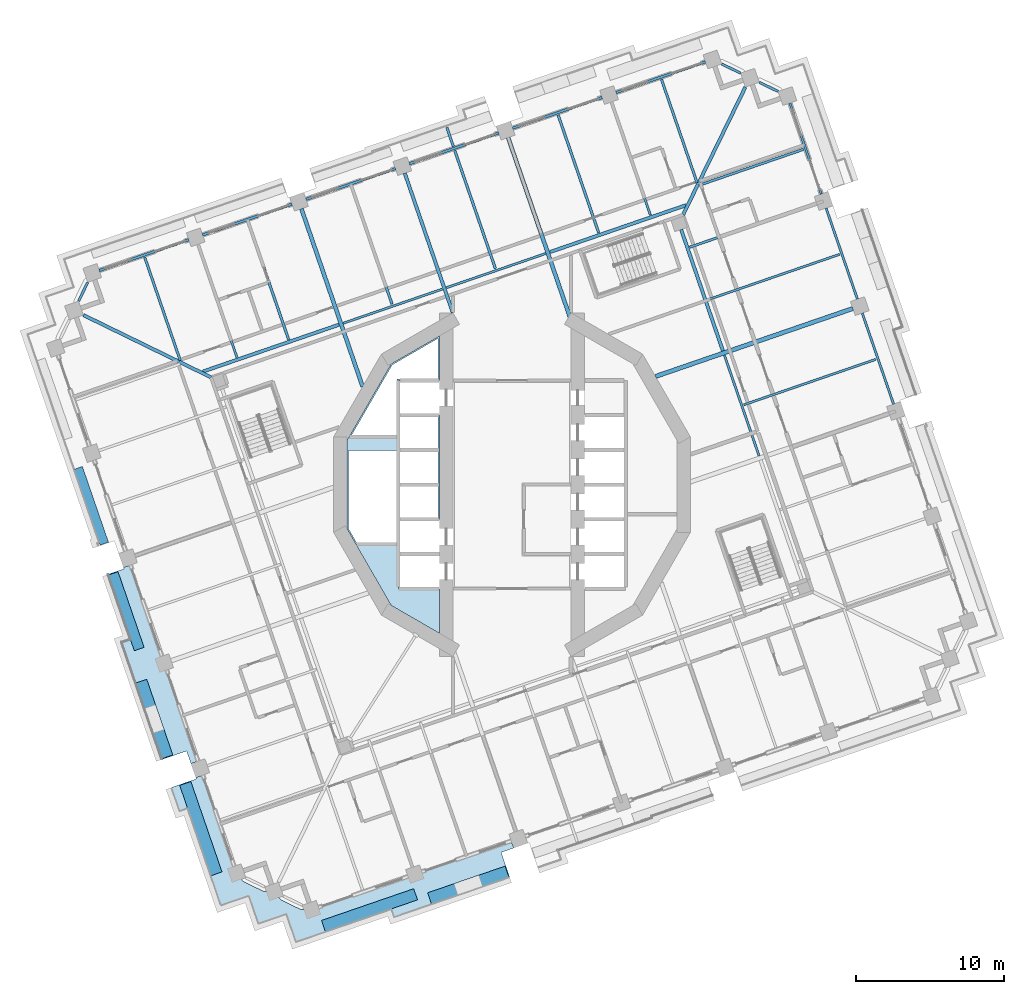
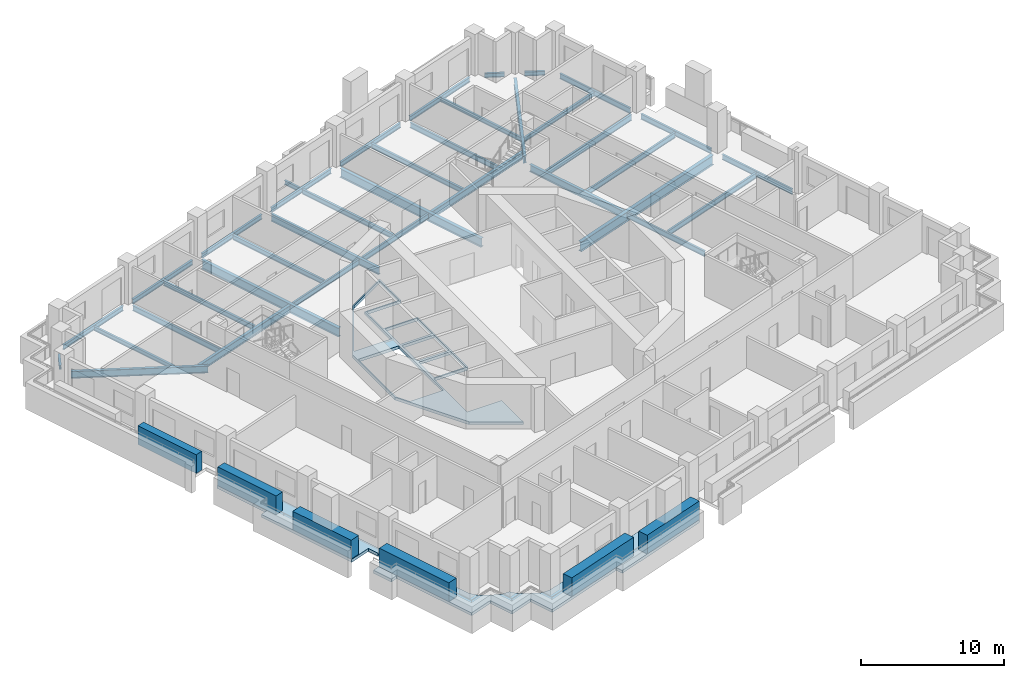
# One storey, part 2 of 19: 37 beams, 6 plates, 3 slabs.
"""IFC4 building model written with IfcOpenShell, lengths in metres."""

import ifcopenshell
import ifcopenshell.guid

model = None  # the IFC model being written
_history = None  # IfcOwnerHistory: only IFC2X3 demands one
_inside = {}  # id of a spatial element -> (the spatial element, [elements in it])
_under = {}  # id of a project, library or spatial element -> (it, [spatial elements below it])
_declared = {}  # id of a project -> (the project, [libraries it declares])
_typed = {}  # id of a type object -> (the type object, [elements of that type])
_made_of = {}  # id of a material, layer set ... -> (it, [elements and type objects made of it])


def new_model(schema):
    """Start an empty IFC model of exactly this schema.

    Asked for "IFC4X3", IfcOpenShell would pick the latest addendum, in which some entities
    have other attributes; the version numbers below select the first issue.
    IFC2X3 requires an IfcOwnerHistory on every rooted entity: one is made here for all.
    """
    global model, _history
    if schema == "IFC4X3":
        model = ifcopenshell.file(schema_version=(4, 3, 0, 0))
    else:
        model = ifcopenshell.file(schema=schema)
    _inside.clear()
    _under.clear()
    _declared.clear()
    _typed.clear()
    _made_of.clear()
    _history = None
    if model.schema == "IFC2X3":
        org = make("IfcOrganization", Name="unknown")
        user = make(
            "IfcPersonAndOrganization",
            ThePerson=make("IfcPerson", FamilyName="unknown"),
            TheOrganization=org,
        )
        app = make(
            "IfcApplication",
            ApplicationDeveloper=org,
            Version="unknown",
            ApplicationFullName="unknown",
            ApplicationIdentifier="unknown",
        )
        _history = make(
            "IfcOwnerHistory",
            OwningUser=user,
            OwningApplication=app,
            ChangeAction="ADDED",
            CreationDate=0,
        )
    return model


def make(cls, **values):
    """One entity of the class cls with the attributes given. An attribute that is None is left unset."""
    return model.create_entity(
        cls, **{name: value for name, value in values.items() if value is not None}
    )


def rooted(cls, **values):
    """An entity with a GlobalId (a new one), such as an element, a storey or a relation."""
    return make(cls, GlobalId=ifcopenshell.guid.new(), OwnerHistory=_history, **values)


def si_unit(unit_type, name, prefix=None):
    """IfcSIUnit, for example si_unit("LENGTHUNIT", "METRE", prefix="MILLI")."""
    return make("IfcSIUnit", UnitType=unit_type, Prefix=prefix, Name=name)


def assignment(units):
    """IfcUnitAssignment: the units of a project."""
    return None if units is None else make("IfcUnitAssignment", Units=units)


def point(xyz):
    """IfcCartesianPoint."""
    return None if xyz is None else make("IfcCartesianPoint", Coordinates=xyz)


def direction(xyz):
    """IfcDirection."""
    return None if xyz is None else make("IfcDirection", DirectionRatios=xyz)


def frame(location, z_axis=None, x_axis=None):
    """IfcAxis2Placement3D, a coordinate frame: its origin and axes. An axis left out is left unset."""
    return make(
        "IfcAxis2Placement3D",
        Location=point(location),
        Axis=direction(z_axis),
        RefDirection=direction(x_axis),
    )


def frame_2d(location, x_axis=None):
    """IfcAxis2Placement2D, a coordinate frame in the plane: its origin and x axis."""
    return make(
        "IfcAxis2Placement2D", Location=point(location), RefDirection=direction(x_axis)
    )


def origin():
    """The frame at (0, 0, 0) with its axes left unset."""
    return frame((0.0, 0.0, 0.0))


def origin_2d():
    """The frame at (0, 0) in the plane with its x axis left unset."""
    return frame_2d((0.0, 0.0))


def place(relative_to, where):
    """IfcLocalPlacement: puts the frame where relative to a parent placement (None: the world)."""
    return make(
        "IfcLocalPlacement", PlacementRelTo=relative_to, RelativePlacement=where
    )


def context(
    kind, dimensions, precision=None, world=None, true_north=None, identifier=None
):
    """IfcGeometricRepresentationContext, for example the 3D "Model" context."""
    return make(
        "IfcGeometricRepresentationContext",
        ContextIdentifier=identifier,
        ContextType=kind,
        CoordinateSpaceDimension=dimensions,
        Precision=precision,
        WorldCoordinateSystem=world,
        TrueNorth=true_north,
    )


def subcontext(parent, identifier, kind, view, scale=None):
    """IfcGeometricRepresentationSubContext, for example "Body" below "Model"."""
    return make(
        "IfcGeometricRepresentationSubContext",
        ContextIdentifier=identifier,
        ContextType=kind,
        ParentContext=parent,
        TargetScale=scale,
        TargetView=view,
    )


def project(units=None, contexts=None):
    """IfcProject with its units and contexts."""
    return rooted(
        "IfcProject",
        Name="project",
        RepresentationContexts=contexts,
        UnitsInContext=assignment(units),
    )


def spatial(cls, under=None, at=None, **own):
    """A site, building, storey or space (cls), placed at a placement, below another one or the project."""
    s = rooted(cls, ObjectPlacement=at, **own)
    if under is not None:
        _under.setdefault(under.id(), (under, []))[1].append(s)
    return s


def polyline(points):
    """IfcPolyline through the points."""
    return make("IfcPolyline", Points=[point(p) for p in points])


def profile(cls, at=None, kind="AREA", **sizes):
    """A parametric profile (cls). Its sizes go by their IFC names, for example OverallWidth=200.0."""
    return make(cls, ProfileType=kind, Position=at, **sizes)


def rectangle(**sizes):
    """IfcRectangleProfileDef."""
    return profile("IfcRectangleProfileDef", **sizes)


def i_section(**sizes):
    """IfcIShapeProfileDef."""
    return profile("IfcIShapeProfileDef", **sizes)


def outline(outer, holes=None, kind="AREA"):
    """IfcArbitraryClosedProfileDef: a profile drawn as a closed curve; with holes, ...WithVoids."""
    if holes is None:
        return make("IfcArbitraryClosedProfileDef", ProfileType=kind, OuterCurve=outer)
    return make(
        "IfcArbitraryProfileDefWithVoids",
        ProfileType=kind,
        OuterCurve=outer,
        InnerCurves=holes,
    )


def extrude(swept, where, along, depth):
    """IfcExtrudedAreaSolid: the profile swept, set in the frame where, extruded along a direction by depth."""
    return make(
        "IfcExtrudedAreaSolid",
        SweptArea=swept,
        Position=where,
        ExtrudedDirection=direction(along),
        Depth=depth,
    )


def shape(context_of_items, identifier, shape_type, items):
    """IfcShapeRepresentation: the items that make up one representation, for example the "Body"."""
    return make(
        "IfcShapeRepresentation",
        ContextOfItems=context_of_items,
        RepresentationIdentifier=identifier,
        RepresentationType=shape_type,
        Items=items,
    )


def material(Name=None, Category=None):
    """IfcMaterial."""
    return make("IfcMaterial", Name=Name, Category=Category)


def layer(
    of_material, thickness, ventilated=None, Name=None, Category=None, Priority=None
):
    """IfcMaterialLayer: one layer of a wall or slab, of a material (None: an air gap)."""
    return make(
        "IfcMaterialLayer",
        Material=of_material,
        LayerThickness=thickness,
        IsVentilated=ventilated,
        Name=Name,
        Category=Category,
        Priority=Priority,
    )


def layer_set(layers, Name=None):
    """IfcMaterialLayerSet."""
    return make("IfcMaterialLayerSet", MaterialLayers=layers, LayerSetName=Name)


def material_profile(
    of_material, cross_section, Name=None, Category=None, Priority=None
):
    """IfcMaterialProfile: a cross section and its material."""
    return make(
        "IfcMaterialProfile",
        Name=Name,
        Material=of_material,
        Profile=cross_section,
        Priority=Priority,
        Category=Category,
    )


def profile_set(profiles, Name=None, composite=None):
    """IfcMaterialProfileSet."""
    return make(
        "IfcMaterialProfileSet",
        Name=Name,
        MaterialProfiles=profiles,
        CompositeProfile=composite,
    )


def made_of(thing, what):
    """Note that an element or type object is made of a material, layer set ...; save() writes the relation."""
    if what is not None:
        _made_of.setdefault(what.id(), (what, []))[1].append(thing)
    return thing


def type_object(cls, material=None, **own):
    """A type object (cls), such as IfcWallType, which elements share."""
    return made_of(rooted(cls, **own), material)


def element(
    cls,
    number,
    at=None,
    inside=None,
    cuts=None,
    type_object=None,
    material=None,
    context=None,
    identifier="Body",
    shape_type=None,
    held_by="IfcProductDefinitionShape",
    body=None,
    shapes=None,
    **own,
):
    """One element of the class cls, such as IfcWall. Its Tag is "e" and its number.

    at: its placement. inside: the storey or other place that contains it. cuts: it is an
    opening in that element (IfcRelVoidsElement). A single representation is given by context,
    identifier, shape_type and body (its items); several are given by shapes. held_by: the class
    of the entity that holds the representations. save() writes the other relations.
    """
    e = rooted(cls, Tag="e%d" % number, ObjectPlacement=at, **own)
    if body is not None:
        shapes = [shape(context, identifier, shape_type, body)]
    if shapes is not None:
        e.Representation = make(held_by, Representations=shapes)
    if inside is not None:
        _inside.setdefault(inside.id(), (inside, []))[1].append(e)
    if cuts is not None:
        rooted(
            "IfcRelVoidsElement", RelatingBuildingElement=cuts, RelatedOpeningElement=e
        )
    if type_object is not None:
        _typed.setdefault(type_object.id(), (type_object, []))[1].append(e)
    return made_of(e, material)


def aggregate(whole, parts):
    """IfcRelAggregates: a whole, such as a stair, and the parts it consists of."""
    return rooted("IfcRelAggregates", RelatingObject=whole, RelatedObjects=parts)


def save(model, path):
    """Write the relations noted so far, then the file.

    IfcRelAggregates (storeys below a building ...), IfcRelContainedInSpatialStructure (elements
    in a storey), IfcRelDefinesByType, IfcRelAssociatesMaterial and IfcRelDeclares: one each for
    every whole, place, type object, material and project.
    """
    for whole, parts in _under.values():
        aggregate(whole, parts)
    for where, things in _inside.values():
        rooted(
            "IfcRelContainedInSpatialStructure",
            RelatedElements=things,
            RelatingStructure=where,
        )
    for kind, things in _typed.values():
        rooted("IfcRelDefinesByType", RelatedObjects=things, RelatingType=kind)
    for what, things in _made_of.values():
        rooted("IfcRelAssociatesMaterial", RelatedObjects=things, RelatingMaterial=what)
    for by, libraries in _declared.values():
        rooted("IfcRelDeclares", RelatingContext=by, RelatedDefinitions=libraries)
    model.write(path)


model = new_model("IFC4")

# Units and contexts
model_context = context("Model", 3, precision=1e-05, world=origin(), true_north=direction((0.0, 1.0)))
body_context = subcontext(model_context, "Body", "Model", "MODEL_VIEW")
ifc_project = project(units=[si_unit("LENGTHUNIT", "METRE"), si_unit("AREAUNIT", "SQUARE_METRE"), si_unit("VOLUMEUNIT", "CUBIC_METRE"), si_unit("PLANEANGLEUNIT", "RADIAN"), si_unit("MASSUNIT", "GRAM", prefix="KILO")], contexts=[model_context])

# Site, building, storey
site_placement = place(None, origin())
site = spatial("IfcSite", under=ifc_project, at=site_placement, CompositionType="ELEMENT")
building_placement = place(site_placement, origin())
building = spatial("IfcBuilding", under=site, at=building_placement, Name="Cantera Rosa Tower", CompositionType="ELEMENT")
storey_placement = place(building_placement, frame((0.0, 0.0, 123.10009765625)))
storey = spatial("IfcBuildingStorey", under=building, at=storey_placement, Name="L25", CompositionType="ELEMENT", Elevation=123.10009765625)

# Beams
ifc_material_1 = material(Name="Steel ASTM A992 (Fy 345 MPa)", Category="steel")
ifc_material_profile_1 = material_profile(ifc_material_1, i_section(OverallWidth=0.154052734375, OverallDepth=0.4599609375, WebThickness=0.009033203125, FlangeThickness=0.015380859375, FilletRadius=0.01025390625, at=origin_2d()), Name="W460X68")
ifc_profile_set_1 = profile_set([ifc_material_profile_1], Name="Steel ASTM A992 (Fy 345 MPa)")
beam_type_1 = type_object("IfcBeamType", Name="STEEL BEAM W460X68", PredefinedType="BEAM", material=ifc_profile_set_1)
for number, where, z_axis, x_axis, name in (
    (1, (6.7333984375, 25.903564453125, -0.47998046875), (0.325580085327, -0.945514467387, 0.0), (0.945514467387, 0.325580085327, 0.0), "G-Z2-05 L25"),
    (2, (-21.25390625, 16.2666015625, -0.47998046875), (0.325580085327, -0.945514467387, 0.0), (0.945514467387, 0.325580085327, 0.0), "G-Z2-09 L25"),
):
    element("IfcBeam", number, at=place(storey_placement, frame(where, z_axis=z_axis, x_axis=x_axis)), inside=storey, type_object=beam_type_1, Name=name, PredefinedType="BEAM", context=body_context, shape_type="SweptSolid", body=[
        extrude(i_section(OverallWidth=0.154052734375, OverallDepth=0.4599609375, WebThickness=0.009033203125, FlangeThickness=0.015380859375, FilletRadius=0.01025390625, at=origin_2d()), origin(), (0.0, 0.0, 1.0), 8.10009765625),
    ])
beam_1_placement = place(storey_placement, frame((-11.42919921875, 10.924072265625, -0.47998046875), z_axis=(0.945518325606, 0.32556888049, 0.0), x_axis=(-0.32556888049, 0.945518325606, 0.0)))
element("IfcBeam", 3, at=beam_1_placement, inside=storey, type_object=beam_type_1, Name="RB-Z2-02 L25", PredefinedType="BEAM", context=body_context, shape_type="SweptSolid", body=[
    extrude(i_section(OverallWidth=0.154052734375, OverallDepth=0.4599609375, WebThickness=0.009033203125, FlangeThickness=0.015380859375, FilletRadius=0.01025390625, at=origin_2d()), origin(), (0.0, 0.0, 1.0), 7.099853515625),
])
beam_2_placement = place(storey_placement, frame((-4.432373046875, 13.333251953125, -0.47998046875), z_axis=(0.945507740063, 0.325599621437, 0.0), x_axis=(-0.325599621437, 0.945507740063, 0.0)))
element("IfcBeam", 4, at=beam_2_placement, inside=storey, type_object=beam_type_1, Name="RB-Z2-03 L25", PredefinedType="BEAM", context=body_context, shape_type="SweptSolid", body=[
    extrude(i_section(OverallWidth=0.154052734375, OverallDepth=0.4599609375, WebThickness=0.009033203125, FlangeThickness=0.015380859375, FilletRadius=0.01025390625, at=origin_2d()), origin(), (0.0, 0.0, 1.0), 7.10009765625),
])
beam_3_placement = place(storey_placement, frame((16.72900390625, 1.9423828125, -0.47998046875), z_axis=(-0.325575881702, 0.94551591486, 0.0), x_axis=(-0.94551591486, -0.325575881702, 0.0)))
element("IfcBeam", 5, at=beam_3_placement, inside=storey, type_object=beam_type_1, Name="RB-Z2-10 L25", PredefinedType="BEAM", context=body_context, shape_type="SweptSolid", body=[
    extrude(i_section(OverallWidth=0.154052734375, OverallDepth=0.4599609375, WebThickness=0.009033203125, FlangeThickness=0.015380859375, FilletRadius=0.01025390625, at=origin_2d()), origin(), (0.0, 0.0, 1.0), 7.2197265625),
])
ifc_material_2 = material(Name="Steel ASTM A992 (Fy 345 MPa)", Category="steel")
ifc_material_profile_2 = material_profile(ifc_material_2, i_section(OverallWidth=0.166015625, OverallDepth=0.528076171875, WebThickness=0.009765625, FlangeThickness=0.013671875, FilletRadius=0.0126953125, at=origin_2d()), Name="W530X74")
ifc_profile_set_2 = profile_set([ifc_material_profile_2], Name="Steel ASTM A992 (Fy 345 MPa)")
beam_type_2 = type_object("IfcBeamType", Name="STEEL BEAM W530X74", PredefinedType="BEAM", material=ifc_profile_set_2)
beam_4_placement = place(storey_placement, frame((20.62744140625, 19.032470703125, -0.51416015625), z_axis=(-0.94551971591, -0.325564842737, 0.0), x_axis=(0.325564842737, -0.94551971591, 0.0)))
element("IfcBeam", 6, at=beam_4_placement, inside=storey, type_object=beam_type_2, Name="G-Z2-04 L25", PredefinedType="BEAM", context=body_context, shape_type="SweptSolid", body=[
    extrude(i_section(OverallWidth=0.166015625, OverallDepth=0.528076171875, WebThickness=0.009765625, FlangeThickness=0.013671875, FilletRadius=0.0126953125, at=origin_2d()), origin(), (0.0, 0.0, 1.0), 9.10009765625),
])
ifc_material_3 = material(Name="Steel ASTM A992 (Fy 345 MPa)", Category="steel")
ifc_material_profile_3 = material_profile(ifc_material_3, i_section(OverallWidth=0.22802734375, OverallDepth=0.60205078125, WebThickness=0.010498046875, FlangeThickness=0.014892578125, FilletRadius=0.0126953125, at=origin_2d()), Name="W610X101")
ifc_profile_set_3 = profile_set([ifc_material_profile_3], Name="Steel ASTM A992 (Fy 345 MPa)")
beam_type_3 = type_object("IfcBeamType", Name="STEEL BEAM W610X101", PredefinedType="BEAM", material=ifc_profile_set_3)
beam_5_placement = place(storey_placement, frame((15.7998046875, 26.909912109375, -0.551025390625), z_axis=(-0.438387618569, -0.898786012288, 0.0), x_axis=(0.898786012288, -0.438387618569, 0.0)))
element("IfcBeam", 7, at=beam_5_placement, inside=storey, type_object=beam_type_3, Name="CB-Z2-01 L25", PredefinedType="BEAM", context=body_context, shape_type="SweptSolid", body=[
    extrude(i_section(OverallWidth=0.22802734375, OverallDepth=0.60205078125, WebThickness=0.010498046875, FlangeThickness=0.014892578125, FilletRadius=0.0126953125, at=origin_2d()), origin(), (0.0, 0.0, 1.0), 9.61669921875),
])
beam_6_placement = place(storey_placement, frame((-29.017822265625, 11.47802734375, -0.551025390625), z_axis=(0.898796015179, -0.438367109965, 0.0), x_axis=(0.438367109965, 0.898796015179, 0.0)))
element("IfcBeam", 8, at=beam_6_placement, inside=storey, type_object=beam_type_3, Name="CB-Z2-02 L25", PredefinedType="BEAM", context=body_context, shape_type="SweptSolid", body=[
    extrude(i_section(OverallWidth=0.22802734375, OverallDepth=0.60205078125, WebThickness=0.010498046875, FlangeThickness=0.014892578125, FilletRadius=0.0126953125, at=origin_2d()), origin(), (0.0, 0.0, 1.0), 9.616455078125),
])
beam_7_placement = place(storey_placement, frame((-7.26025390625, 21.0849609375, -0.551025390625), z_axis=(0.325587365823, -0.945511960377, 0.0), x_axis=(0.945511960377, 0.325587365823, 0.0)))
element("IfcBeam", 9, at=beam_7_placement, inside=storey, type_object=beam_type_3, Name="G-Z2-07 L25", PredefinedType="BEAM", context=body_context, shape_type="SweptSolid", body=[
    extrude(i_section(OverallWidth=0.22802734375, OverallDepth=0.60205078125, WebThickness=0.010498046875, FlangeThickness=0.014892578125, FilletRadius=0.0126953125, at=origin_2d()), origin(), (0.0, 0.0, 1.0), 10.0),
])
beam_8_placement = place(storey_placement, frame((14.28076171875, 9.052490234375, -0.551025390625), z_axis=(-0.325559468466, 0.945521566381, 0.0), x_axis=(-0.945521566381, -0.325559468466, 0.0)))
element("IfcBeam", 10, at=beam_8_placement, inside=storey, type_object=beam_type_3, Name="RB-Z2-11 L25", PredefinedType="BEAM", context=body_context, shape_type="SweptSolid", body=[
    extrude(i_section(OverallWidth=0.22802734375, OverallDepth=0.60205078125, WebThickness=0.010498046875, FlangeThickness=0.014892578125, FilletRadius=0.0126953125, at=origin_2d()), origin(), (0.0, 0.0, 1.0), 8.68994140625),
])
ifc_material_4 = material(Name="Steel ASTM A992 (Fy 345 MPa)", Category="steel")
ifc_material_profile_4 = material_profile(ifc_material_4, i_section(OverallWidth=0.22900390625, OverallDepth=0.612060546875, WebThickness=0.011962890625, FlangeThickness=0.01953125, FilletRadius=0.0126953125, at=origin_2d()), Name="W610X125")
ifc_profile_set_4 = profile_set([ifc_material_profile_4], Name="Steel ASTM A992 (Fy 345 MPa)")
beam_type_4 = type_object("IfcBeamType", Name="STEEL BEAM W610X125", PredefinedType="BEAM", material=ifc_profile_set_4)
beam_9_placement = place(storey_placement, frame((-20.931640625, 7.652099609375, -0.55615234375), z_axis=(0.945517116269, 0.32557239263, 0.0), x_axis=(-0.32557239263, 0.945517116269, 0.0)))
element("IfcBeam", 11, at=beam_9_placement, inside=storey, type_object=beam_type_4, Name="RB-Z2-01 L25", PredefinedType="BEAM", context=body_context, shape_type="SweptSolid", body=[
    extrude(i_section(OverallWidth=0.22900390625, OverallDepth=0.612060546875, WebThickness=0.011962890625, FlangeThickness=0.01953125, FilletRadius=0.0126953125, at=origin_2d()), origin(), (0.0, 0.0, 1.0), 9.75),
])
beam_10_placement = place(storey_placement, frame((2.564453125, 15.74267578125, -0.55615234375), z_axis=(0.945524824291, 0.325550006372, 0.0), x_axis=(-0.325550006372, 0.945524824291, 0.0)))
element("IfcBeam", 12, at=beam_10_placement, inside=storey, type_object=beam_type_4, Name="RB-Z2-04 L25", PredefinedType="BEAM", context=body_context, shape_type="SweptSolid", body=[
    extrude(i_section(OverallWidth=0.22900390625, OverallDepth=0.612060546875, WebThickness=0.011962890625, FlangeThickness=0.01953125, FilletRadius=0.0126953125, at=origin_2d()), origin(), (0.0, 0.0, 1.0), 9.749755859375),
])
ifc_material_5 = material(Name="Steel ASTM A992 (Fy 345 MPa)", Category="steel")
ifc_material_profile_5 = material_profile(ifc_material_5, i_section(OverallWidth=0.26708984375, OverallDepth=0.75390625, WebThickness=0.01318359375, FlangeThickness=0.01708984375, FilletRadius=0.0166015625, at=origin_2d()), Name="W760X147")
ifc_profile_set_5 = profile_set([ifc_material_profile_5], Name="Steel ASTM A992 (Fy 345 MPa)")
beam_type_5 = type_object("IfcBeamType", Name="STEEL BEAM W760X147", PredefinedType="BEAM", material=ifc_profile_set_5)
beam_11_placement = place(storey_placement, frame((-0.263427734375, 23.494384765625, -0.627197265625), z_axis=(0.325569500581, -0.945518112091, 0.0), x_axis=(0.945518112091, 0.325569500581, 0.0)))
element("IfcBeam", 13, at=beam_11_placement, inside=storey, type_object=beam_type_5, Name="G-Z2-06 L25", PredefinedType="BEAM", context=body_context, shape_type="SweptSolid", body=[
    extrude(i_section(OverallWidth=0.26708984375, OverallDepth=0.75390625, WebThickness=0.01318359375, FlangeThickness=0.01708984375, FilletRadius=0.0166015625, at=origin_2d()), origin(), (0.0, 0.0, 1.0), 13.09521484375),
])
beam_12_placement = place(storey_placement, frame((-14.257080078125, 18.67578125, -0.627197265625), z_axis=(0.325575880476, -0.945515915282, 0.0), x_axis=(0.945515915282, 0.325575880476, 0.0)))
element("IfcBeam", 14, at=beam_12_placement, inside=storey, type_object=beam_type_5, Name="G-Z2-08 L25", PredefinedType="BEAM", context=body_context, shape_type="SweptSolid", body=[
    extrude(i_section(OverallWidth=0.26708984375, OverallDepth=0.75390625, WebThickness=0.01318359375, FlangeThickness=0.01708984375, FilletRadius=0.0166015625, at=origin_2d()), origin(), (0.0, 0.0, 1.0), 12.734375),
])
ifc_material_6 = material(Name="Steel ASTM A992 (Fy 345 MPa)", Category="steel")
ifc_material_profile_6 = material_profile(ifc_material_6, i_section(OverallWidth=0.2919921875, OverallDepth=0.8359375, WebThickness=0.013916015625, FlangeThickness=0.018798828125, FilletRadius=0.017822265625, at=origin_2d()), Name="W840X176")
ifc_profile_set_6 = profile_set([ifc_material_profile_6], Name="Steel ASTM A992 (Fy 345 MPa)")
beam_type_6 = type_object("IfcBeamType", Name="STEEL BEAM W840X176", PredefinedType="BEAM", material=ifc_profile_set_6)
beam_13_placement = place(storey_placement, frame((23.07568359375, 11.92236328125, -0.668212890625), z_axis=(-0.945516836256, -0.325573205833, 0.0), x_axis=(0.325573205833, -0.945516836256, 0.0)))
element("IfcBeam", 15, at=beam_13_placement, inside=storey, type_object=beam_type_6, Name="G-Z2-03 L25", PredefinedType="BEAM", context=body_context, shape_type="SweptSolid", body=[
    extrude(i_section(OverallWidth=0.2919921875, OverallDepth=0.8359375, WebThickness=0.013916015625, FlangeThickness=0.018798828125, FilletRadius=0.017822265625, at=origin_2d()), origin(), (0.0, 0.0, 1.0), 14.130615234375),
])
ifc_material_7 = material(Name="Steel ASTM A992 (Fy 345 MPa)", Category="steel")
ifc_material_profile_7 = material_profile(ifc_material_7, i_section(OverallWidth=0.1708984375, OverallDepth=0.35595703125, WebThickness=0.00732421875, FlangeThickness=0.01171875, FilletRadius=0.010009765625, at=origin_2d()), Name="W360X51")
ifc_profile_set_7 = profile_set([ifc_material_profile_7], Name="Steel ASTM A992 (Fy 345 MPa)")
beam_type_7 = type_object("IfcBeamType", Name="STEEL JOIST W360X51", PredefinedType="JOIST", material=ifc_profile_set_7)
beam_14_placement = place(storey_placement, frame((19.734130859375, 22.70166015625, -0.427978515625), z_axis=(-0.945518264054, -0.32556905925, 0.0), x_axis=(0.32556905925, -0.945518264054, 0.0)))
element("IfcBeam", 16, at=beam_14_placement, inside=storey, type_object=beam_type_7, Name="B-Z2-05 L25", PredefinedType="JOIST", context=body_context, shape_type="SweptSolid", body=[
    extrude(i_section(OverallWidth=0.1708984375, OverallDepth=0.35595703125, WebThickness=0.00732421875, FlangeThickness=0.01171875, FilletRadius=0.010009765625, at=origin_2d()), origin(), (0.0, 0.0, 1.0), 7.4599609375),
])
for number, where, z_axis, x_axis, name in (
    (17, (10.117919921875, 27.43896484375, -0.427978515625), (0.325565645331, -0.945519439557, 0.0), (0.945519439557, 0.325565645331, 0.0), "B-Z2-06 L25"),
    (18, (-24.8662109375, 15.39306640625, -0.427978515625), (0.325565645331, -0.945519439557, 0.0), (0.945519439557, 0.325565645331, 0.0), "B-Z2-11 L25"),
):
    element("IfcBeam", number, at=place(storey_placement, frame(where, z_axis=z_axis, x_axis=x_axis)), inside=storey, type_object=beam_type_7, Name=name, PredefinedType="JOIST", context=body_context, shape_type="SweptSolid", body=[
        extrude(i_section(OverallWidth=0.1708984375, OverallDepth=0.35595703125, WebThickness=0.00732421875, FlangeThickness=0.01171875, FilletRadius=0.010009765625, at=origin_2d()), origin(), (0.0, 0.0, 1.0), 7.39990234375),
    ])
beam_15_placement = place(storey_placement, frame((-3.966796875, 22.88525390625, -0.427978515625), z_axis=(-0.325633232833, 0.945496164812, 0.0), x_axis=(-0.945496164812, -0.325633232833, 0.0)))
element("IfcBeam", 19, at=beam_15_placement, inside=storey, type_object=beam_type_7, Name="BS-Z2-12 L25", PredefinedType="JOIST", context=body_context, shape_type="SweptSolid", body=[
    extrude(i_section(OverallWidth=0.1708984375, OverallDepth=0.35595703125, WebThickness=0.00732421875, FlangeThickness=0.01171875, FilletRadius=0.010009765625, at=origin_2d()), origin(), (0.0, 0.0, 1.0), 1.3681640625),
])
ifc_material_8 = material(Name="Steel ASTM A992 (Fy 345 MPa)", Category="steel")
ifc_material_profile_8 = material_profile(ifc_material_8, i_section(OverallWidth=0.177978515625, OverallDepth=0.406005859375, WebThickness=0.0078125, FlangeThickness=0.0126953125, FilletRadius=0.01025390625, at=origin_2d()), Name="W410X60")
ifc_profile_set_8 = profile_set([ifc_material_profile_8], Name="Steel ASTM A992 (Fy 345 MPa)")
beam_type_8 = type_object("IfcBeamType", Name="STEEL JOIST W410X60", PredefinedType="JOIST", material=ifc_profile_set_8)
beam_16_placement = place(storey_placement, frame((3.12109375, 25.02978515625, -0.453125), z_axis=(0.325565025235, -0.945519653071, 0.0), x_axis=(0.945519653071, 0.325565025235, 0.0)))
element("IfcBeam", 20, at=beam_16_placement, inside=storey, type_object=beam_type_8, Name="B-Z2-07 L25", PredefinedType="JOIST", context=body_context, shape_type="SweptSolid", body=[
    extrude(i_section(OverallWidth=0.177978515625, OverallDepth=0.406005859375, WebThickness=0.0078125, FlangeThickness=0.0126953125, FilletRadius=0.01025390625, at=origin_2d()), origin(), (0.0, 0.0, 1.0), 8.449951171875),
])
for number, where, z_axis, x_axis, name in (
    (21, (-3.875732421875, 22.62060546875, -0.453125), (0.325556131421, -0.945522715377, 0.0), (0.945522715377, 0.325556131421, 0.0), "B-Z2-08 L25"),
    (22, (-10.87255859375, 20.21142578125, -0.453125), (0.325556131421, -0.945522715377, 0.0), (0.945522715377, 0.325556131421, 0.0), "B-Z2-09 L25"),
    (23, (-17.869384765625, 17.80224609375, -0.453125), (0.325556131421, -0.945522715377, 0.0), (0.945522715377, 0.325556131421, 0.0), "B-Z2-10 L25"),
):
    element("IfcBeam", number, at=place(storey_placement, frame(where, z_axis=z_axis, x_axis=x_axis)), inside=storey, type_object=beam_type_8, Name=name, PredefinedType="JOIST", context=body_context, shape_type="SweptSolid", body=[
        extrude(i_section(OverallWidth=0.177978515625, OverallDepth=0.406005859375, WebThickness=0.0078125, FlangeThickness=0.0126953125, FilletRadius=0.01025390625, at=origin_2d()), origin(), (0.0, 0.0, 1.0), 8.4501953125),
    ])
ifc_material_9 = material(Name="Steel ASTM A992 (Fy 345 MPa)", Category="steel")
ifc_material_profile_9 = material_profile(ifc_material_9, i_section(OverallWidth=0.154052734375, OverallDepth=0.4599609375, WebThickness=0.009033203125, FlangeThickness=0.015380859375, FilletRadius=0.01025390625, at=origin_2d()), Name="W460X68")
ifc_profile_set_9 = profile_set([ifc_material_profile_9], Name="Steel ASTM A992 (Fy 345 MPa)")
beam_type_9 = type_object("IfcBeamType", Name="STEEL JOIST W460X68", PredefinedType="JOIST", material=ifc_profile_set_9)
beam_17_placement = place(storey_placement, frame((24.630859375, 8.48095703125, -0.47998046875), z_axis=(-0.945526896389, -0.325543988125, 0.0), x_axis=(0.325543988125, -0.945526896389, 0.0)))
element("IfcBeam", 24, at=beam_17_placement, inside=storey, type_object=beam_type_9, Name="B-Z2-03 L25", PredefinedType="JOIST", context=body_context, shape_type="SweptSolid", body=[
    extrude(i_section(OverallWidth=0.154052734375, OverallDepth=0.4599609375, WebThickness=0.009033203125, FlangeThickness=0.015380859375, FilletRadius=0.01025390625, at=origin_2d()), origin(), (0.0, 0.0, 1.0), 9.4501953125),
])
beam_18_placement = place(storey_placement, frame((22.182373046875, 15.59130859375, -0.47998046875), z_axis=(-0.94551620555, -0.325575037498, 0.0), x_axis=(0.325575037498, -0.94551620555, 0.0)))
element("IfcBeam", 25, at=beam_18_placement, inside=storey, type_object=beam_type_9, Name="B-Z2-04 L25", PredefinedType="JOIST", context=body_context, shape_type="SweptSolid", body=[
    extrude(i_section(OverallWidth=0.154052734375, OverallDepth=0.4599609375, WebThickness=0.009033203125, FlangeThickness=0.015380859375, FilletRadius=0.01025390625, at=origin_2d()), origin(), (0.0, 0.0, 1.0), 9.449951171875),
])
ifc_material_10 = material(Name="Steel ASTM A992 (Fy 345 MPa)", Category="steel")
ifc_material_profile_10 = material_profile(ifc_material_10, i_section(OverallWidth=0.1708984375, OverallDepth=0.35595703125, WebThickness=0.00732421875, FlangeThickness=0.01171875, FilletRadius=0.010009765625, at=origin_2d()), Name="W360X51")
ifc_profile_set_10 = profile_set([ifc_material_profile_10], Name="Steel ASTM A992 (Fy 345 MPa)")
beam_type_10 = type_object("IfcBeamType", Name="STEEL SPANDREL BEAM W360X51", PredefinedType="SPANDREL", material=ifc_profile_set_10)
for number, where, z_axis, x_axis, name in (
    (26, (18.016357421875, 26.61572265625, -0.427978515625), (-0.898803287583, 0.438352198842, 0.0), (-0.438352198842, -0.898803287583, 0.0), "EB-Z2-06 L25"),
    (27, (15.47412109375, 27.85546875, -0.427978515625), (-0.898803287583, 0.438352198842, 0.0), (-0.438352198842, -0.898803287583, 0.0), "EB-Z2-07 L25"),
):
    element("IfcBeam", number, at=place(storey_placement, frame(where, z_axis=z_axis, x_axis=x_axis)), inside=storey, type_object=beam_type_10, Name=name, PredefinedType="SPANDREL", context=body_context, shape_type="SweptSolid", body=[
        extrude(i_section(OverallWidth=0.1708984375, OverallDepth=0.35595703125, WebThickness=0.00732421875, FlangeThickness=0.01171875, FilletRadius=0.010009765625, at=origin_2d()), origin(), (0.0, 0.0, 1.0), 1.4140625),
    ])
beam_19_placement = place(storey_placement, frame((-28.723388671875, 13.694580078125, -0.427978515625), z_axis=(-0.438491655897, -0.898735260079, 0.0), x_axis=(0.898735260079, -0.438491655897, 0.0)))
element("IfcBeam", 28, at=beam_19_placement, inside=storey, type_object=beam_type_10, Name="EB-Z2-14 L25", PredefinedType="SPANDREL", context=body_context, shape_type="SweptSolid", body=[
    extrude(i_section(OverallWidth=0.1708984375, OverallDepth=0.35595703125, WebThickness=0.00732421875, FlangeThickness=0.01171875, FilletRadius=0.010009765625, at=origin_2d()), origin(), (0.0, 0.0, 1.0), 1.414306640625),
])
ifc_material_11 = material(Name="Steel ASTM A992 (Fy 345 MPa)", Category="steel")
ifc_material_profile_11 = material_profile(ifc_material_11, i_section(OverallWidth=0.177978515625, OverallDepth=0.406005859375, WebThickness=0.0078125, FlangeThickness=0.0126953125, FilletRadius=0.01025390625, at=origin_2d()), Name="W410X60")
ifc_profile_set_11 = profile_set([ifc_material_profile_11], Name="Steel ASTM A992 (Fy 345 MPa)")
beam_type_11 = type_object("IfcBeamType", Name="STEEL SPANDREL BEAM W410X60", PredefinedType="SPANDREL", material=ifc_profile_set_11)
for number, where, z_axis, x_axis, name in (
    (29, (13.0947265625, 28.62255859375, -0.453125), (-0.945524496524, -0.325550958337, 0.0), (0.325550958337, -0.945524496524, 0.0), "EB-Z2-08 L25"),
    (30, (6.097900390625, 26.21337890625, -0.453125), (-0.945524496524, -0.325550958337, 0.0), (0.325550958337, -0.945524496524, 0.0), "EB-Z2-09 L25"),
    (31, (-0.89892578125, 23.80419921875, -0.453125), (-0.945524496524, -0.325550958337, 0.0), (0.325550958337, -0.945524496524, 0.0), "EB-Z2-10 L25"),
    (32, (-7.895751953125, 21.39501953125, -0.453125), (-0.945524496524, -0.325550958337, 0.0), (0.325550958337, -0.945524496524, 0.0), "EB-Z2-11 L25"),
    (33, (-14.892578125, 18.98583984375, -0.453125), (-0.945512753621, -0.325585062219, 0.0), (0.325585062219, -0.945512753621, 0.0), "EB-Z2-12 L25"),
    (34, (-21.889404296875, 16.57666015625, -0.453125), (-0.945512753621, -0.325585062219, 0.0), (0.325585062219, -0.945512753621, 0.0), "EB-Z2-13 L25"),
):
    element("IfcBeam", number, at=place(storey_placement, frame(where, z_axis=z_axis, x_axis=x_axis)), inside=storey, type_object=beam_type_11, Name=name, PredefinedType="SPANDREL", context=body_context, shape_type="SweptSolid", body=[
        extrude(i_section(OverallWidth=0.177978515625, OverallDepth=0.406005859375, WebThickness=0.0078125, FlangeThickness=0.0126953125, FilletRadius=0.01025390625, at=origin_2d()), origin(), (0.0, 0.0, 1.0), 6.39990234375),
    ])
ifc_material_12 = material(Name="Steel ASTM A992 (Fy 345 MPa)", Category="steel")
ifc_material_profile_12 = material_profile(ifc_material_12, i_section(OverallWidth=0.154052734375, OverallDepth=0.4599609375, WebThickness=0.009033203125, FlangeThickness=0.015380859375, FilletRadius=0.01025390625, at=origin_2d()), Name="W460X68")
ifc_profile_set_12 = profile_set([ifc_material_profile_12], Name="Steel ASTM A992 (Fy 345 MPa)")
beam_type_12 = type_object("IfcBeamType", Name="STEEL SPANDREL BEAM W460X68", PredefinedType="SPANDREL", material=ifc_profile_set_12)
for number, where, z_axis, x_axis, name in (
    (35, (25.833984375, 5.447509765625, -0.47998046875), (-0.325580990241, 0.945514155787, 0.0), (-0.945514155787, -0.325580990241, 0.0), "EB-Z2-03 L25"),
    (36, (23.3857421875, 12.557861328125, -0.47998046875), (-0.325580990241, 0.945514155787, 0.0), (-0.945514155787, -0.325580990241, 0.0), "EB-Z2-04 L25"),
):
    element("IfcBeam", number, at=place(storey_placement, frame(where, z_axis=z_axis, x_axis=x_axis)), inside=storey, type_object=beam_type_12, Name=name, PredefinedType="SPANDREL", context=body_context, shape_type="SweptSolid", body=[
        extrude(i_section(OverallWidth=0.154052734375, OverallDepth=0.4599609375, WebThickness=0.009033203125, FlangeThickness=0.015380859375, FilletRadius=0.01025390625, at=origin_2d()), origin(), (0.0, 0.0, 1.0), 6.52001953125),
    ])
beam_20_placement = place(storey_placement, frame((20.9375, 19.668212890625, -0.47998046875), z_axis=(-0.325592517631, 0.945510186335, 0.0), x_axis=(-0.945510186335, -0.325592517631, 0.0)))
element("IfcBeam", 37, at=beam_20_placement, inside=storey, type_object=beam_type_12, Name="EB-Z2-05 L25", PredefinedType="SPANDREL", context=body_context, shape_type="SweptSolid", body=[
    extrude(i_section(OverallWidth=0.154052734375, OverallDepth=0.4599609375, WebThickness=0.009033203125, FlangeThickness=0.015380859375, FilletRadius=0.01025390625, at=origin_2d()), origin(), (0.0, 0.0, 1.0), 6.519775390625),
])

# Slabs
ifc_material_13 = material(Name="Concrete C35/45", Category="concrete")
ifc_layer_1 = layer(ifc_material_13, 0.25)
ifc_layer_set_1 = layer_set([ifc_layer_1], Name="COMPOSITE FLOOR SLAB 250 C35/45")
slab_type_1 = type_object("IfcSlabType", Name="COMPOSITE FLOOR SLAB 250 C35/45", PredefinedType="FLOOR", material=ifc_layer_set_1)
slab_1_placement = place(storey_placement, frame((0.0, 0.0, -0.25)))
element("IfcSlab", 38, at=slab_1_placement, inside=storey, type_object=slab_type_1, Name="SLAB L25 floor 1", PredefinedType="FLOOR", context=body_context, shape_type="SweptSolid", body=[
    extrude(outline(polyline([(-7.699951171875, -4.699951171875), (-7.699951171875, -7.050048828125), (-4.89990234375, -7.050048828125), (-4.89990234375, -10.07373046875), (-8.179931640625, -8.179931640625), (-11.174072265625, -2.994140625), (-11.174072265625, 2.994140625), (-8.179931640625, 8.179931640625), (-4.89990234375, 10.07373046875), (-4.89990234375, 7.050048828125), (-7.699951171875, 7.050048828125), (-7.699951171875, 4.699951171875), (-4.89990234375, 4.699951171875), (-4.89990234375, -2.35009765625), (-7.699951171875, -2.35009765625), (-7.699951171875, -4.699951171875)]), holes=[polyline([(-5.0, -2.25), (-5.0, -0.10009765625), (-7.60009765625, -0.10009765625), (-7.60009765625, -2.25), (-5.0, -2.25)]), polyline([(-10.5185546875, -3.929443359375), (-7.800048828125, -3.929443359375), (-7.800048828125, -2.449951171875), (-7.800048828125, -2.25), (-7.800048828125, 2.25), (-7.800048828125, 2.317626953125), (-11.07421875, 2.317626953125), (-11.07421875, -2.96728515625), (-10.5185546875, -3.929443359375)]), polyline([(-5.0, 0.10009765625), (-5.0, 2.25), (-7.60009765625, 2.25), (-7.60009765625, 0.10009765625), (-5.0, 0.10009765625)]), polyline([(-5.0, 2.449951171875), (-5.0, 4.60009765625), (-7.60009765625, 4.60009765625), (-7.60009765625, 2.449951171875), (-5.0, 2.449951171875)]), polyline([(-7.800048828125, 3.323486328125), (-7.800048828125, 7.14990234375), (-5.0, 7.14990234375), (-5.0, 9.900390625), (-8.106689453125, 8.106689453125), (-10.868408203125, 3.323486328125), (-7.800048828125, 3.323486328125)])]), origin(), (0.0, 0.0, 1.0), 0.25),
])
ifc_material_14 = material(Name="Concrete C35/45", Category="concrete")
ifc_layer_2 = layer(ifc_material_14, 0.25)
ifc_layer_set_2 = layer_set([ifc_layer_2], Name="LOGGIA SLAB 250 C35/45")
slab_type_2 = type_object("IfcSlabType", Name="LOGGIA SLAB 250 C35/45", PredefinedType="FLOOR", material=ifc_layer_set_2)
slab_2_placement = place(storey_placement, frame((0.0, 0.0, -0.25)))
element("IfcSlab", 39, at=slab_2_placement, inside=storey, type_object=slab_type_2, Name="LOGGIA SLAB L25 2", PredefinedType="FLOOR", context=body_context, shape_type="SweptSolid", body=[
    extrude(outline(polyline([(-25.833984375, -5.447509765625), (-21.262939453125, -18.72265625), (-21.735595703125, -18.885498046875), (-22.02880859375, -18.034423828125), (-23.703369140625, -18.611083984375), (-26.435302734375, -10.677001953125), (-25.837158203125, -10.470947265625), (-27.3505859375, -6.075439453125), (-26.274169921875, -5.704833984375), (-26.306640625, -5.6103515625), (-25.833984375, -5.447509765625)])), origin(), (0.0, 0.0, 1.0), 0.25),
])
slab_3_placement = place(storey_placement, frame((0.0, 0.0, -0.25)))
element("IfcSlab", 40, at=slab_3_placement, inside=storey, type_object=slab_type_2, Name="LOGGIA SLAB L25 3", PredefinedType="FLOOR", context=body_context, shape_type="SweptSolid", body=[
    extrude(outline(polyline([(-15.1748046875, -29.3388671875), (-15.272705078125, -29.05517578125), (-15.556396484375, -29.15283203125), (-17.16357421875, -29.706298828125), (-17.717041015625, -28.09912109375), (-17.814697265625, -27.815185546875), (-18.098388671875, -27.9130859375), (-19.705810546875, -28.466552734375), (-20.25927734375, -26.859130859375), (-21.968017578125, -21.896240234375), (-22.50830078125, -22.082275390625), (-23.05224609375, -20.502197265625), (-21.377685546875, -19.92529296875), (-21.41015625, -19.830810546875), (-20.9375, -19.668212890625), (-18.948974609375, -25.443115234375), (-18.65185546875, -26.3056640625), (-18.240966796875, -26.814453125), (-18.220458984375, -26.83544921875), (-18.197998046875, -26.8544921875), (-18.173583984375, -26.87109375), (-18.14794921875, -26.88525390625), (-16.876708984375, -27.505126953125), (-16.849609375, -27.516845703125), (-16.82177734375, -27.525634765625), (-16.79296875, -27.53173828125), (-16.763671875, -27.534912109375), (-16.109619140625, -27.54541015625), (-15.698974609375, -28.05419921875), (-15.67822265625, -28.075439453125), (-15.65576171875, -28.09423828125), (-15.631591796875, -28.111083984375), (-15.605712890625, -28.125), (-14.334716796875, -28.7451171875), (-14.3076171875, -28.756591796875), (-14.279541015625, -28.765625), (-14.250732421875, -28.771728515625), (-14.221435546875, -28.77490234375), (-13.567626953125, -28.785400390625), (-0.046630859375, -24.1298828125), (0.1162109375, -24.6025390625), (-0.73486328125, -24.8955078125), (-0.158935546875, -26.56787109375), (-7.977294921875, -29.260009765625), (-8.162353515625, -28.72216796875), (-13.01416015625, -30.392822265625), (-14.62158203125, -30.9462890625), (-15.1748046875, -29.3388671875)])), origin(), (0.0, 0.0, 1.0), 0.25),
])

# Plates
ifc_material_15 = material(Name="Cantera stone planter with soil", Category="masonry")
plate_type_1 = type_object("IfcPlateType", Name="PLANTER 600", PredefinedType="USERDEFINED", material=ifc_material_15)
plate_1_placement = place(storey_placement, frame((-28.485595703125, -1.43212890625, -0.000244140625), z_axis=(0.0, 0.0, 1.0), x_axis=(0.325568154457, -0.945518575599, 0.0)))
element("IfcPlate", 41, at=plate_1_placement, inside=storey, type_object=plate_type_1, Name="PLANTER L25-13", ObjectType="PLANTER", PredefinedType="USERDEFINED", context=body_context, shape_type="SweptSolid", body=[
    extrude(rectangle(XDim=5.419921875, YDim=0.60009765625, at=origin_2d()), origin(), (0.0, 0.0, 1.0), 1.60009765625),
])
ifc_material_16 = material(Name="Cantera stone planter with soil", Category="masonry")
plate_type_2 = type_object("IfcPlateType", Name="PLANTER 700", PredefinedType="USERDEFINED", material=ifc_material_16)
plate_2_placement = place(storey_placement, frame((-26.12109375, -8.571044921875, -0.000244140625), z_axis=(0.0, 0.0, 1.0), x_axis=(0.325568154457, -0.945518575599, 0.0)))
element("IfcPlate", 42, at=plate_2_placement, inside=storey, type_object=plate_type_2, Name="PLANTER L25-14", ObjectType="PLANTER", PredefinedType="USERDEFINED", context=body_context, shape_type="SweptSolid", body=[
    extrude(rectangle(XDim=5.419921875, YDim=0.699951171875, at=origin_2d()), origin(), (0.0, 0.0, 1.0), 1.60009765625),
])
ifc_material_17 = material(Name="Cantera stone planter with soil", Category="masonry")
plate_type_3 = type_object("IfcPlateType", Name="PLANTER 800", PredefinedType="USERDEFINED", material=ifc_material_17)
plate_3_placement = place(storey_placement, frame((-24.223876953125, -15.87109375, -0.000244140625), z_axis=(0.0, 0.0, 1.0), x_axis=(0.325568154457, -0.945518575599, 0.0)))
element("IfcPlate", 43, at=plate_3_placement, inside=storey, type_object=plate_type_3, Name="PLANTER L25-15", ObjectType="PLANTER", PredefinedType="USERDEFINED", context=body_context, shape_type="SweptSolid", body=[
    extrude(rectangle(XDim=5.419921875, YDim=0.800048828125, at=origin_2d()), origin(), (0.0, 0.0, 1.0), 1.60009765625),
])
plate_4_placement = place(storey_placement, frame((-21.064453125, -23.2919921875, -0.000244140625), z_axis=(0.0, 0.0, 1.0), x_axis=(0.325568154457, -0.945518575599, 0.0)))
element("IfcPlate", 44, at=plate_4_placement, inside=storey, type_object=plate_type_3, Name="PLANTER L25-16", ObjectType="PLANTER", PredefinedType="USERDEFINED", context=body_context, shape_type="SweptSolid", body=[
    extrude(rectangle(XDim=6.469970703125, YDim=0.800048828125, at=origin_2d()), origin(), (0.0, 0.0, 1.0), 1.60009765625),
])
plate_5_placement = place(storey_placement, frame((-9.64599609375, -28.81005859375, -0.000244140625), z_axis=(0.0, 0.0, 1.0), x_axis=(0.945518575599, 0.325568154457, 0.0)))
element("IfcPlate", 45, at=plate_5_placement, inside=storey, type_object=plate_type_3, Name="PLANTER L25-17", ObjectType="PLANTER", PredefinedType="USERDEFINED", context=body_context, shape_type="SweptSolid", body=[
    extrude(rectangle(XDim=6.60009765625, YDim=0.800048828125, at=origin_2d()), origin(), (0.0, 0.0, 1.0), 1.60009765625),
])
plate_6_placement = place(storey_placement, frame((-2.960205078125, -27.109375, -0.000244140625), z_axis=(0.0, 0.0, 1.0), x_axis=(0.945518575599, 0.325568154457, 0.0)))
element("IfcPlate", 46, at=plate_6_placement, inside=storey, type_object=plate_type_3, Name="PLANTER L25-18", ObjectType="PLANTER", PredefinedType="USERDEFINED", context=body_context, shape_type="SweptSolid", body=[
    extrude(rectangle(XDim=5.550048828125, YDim=0.800048828125, at=origin_2d()), origin(), (0.0, 0.0, 1.0), 1.60009765625),
])

save(model, "model.ifc")
